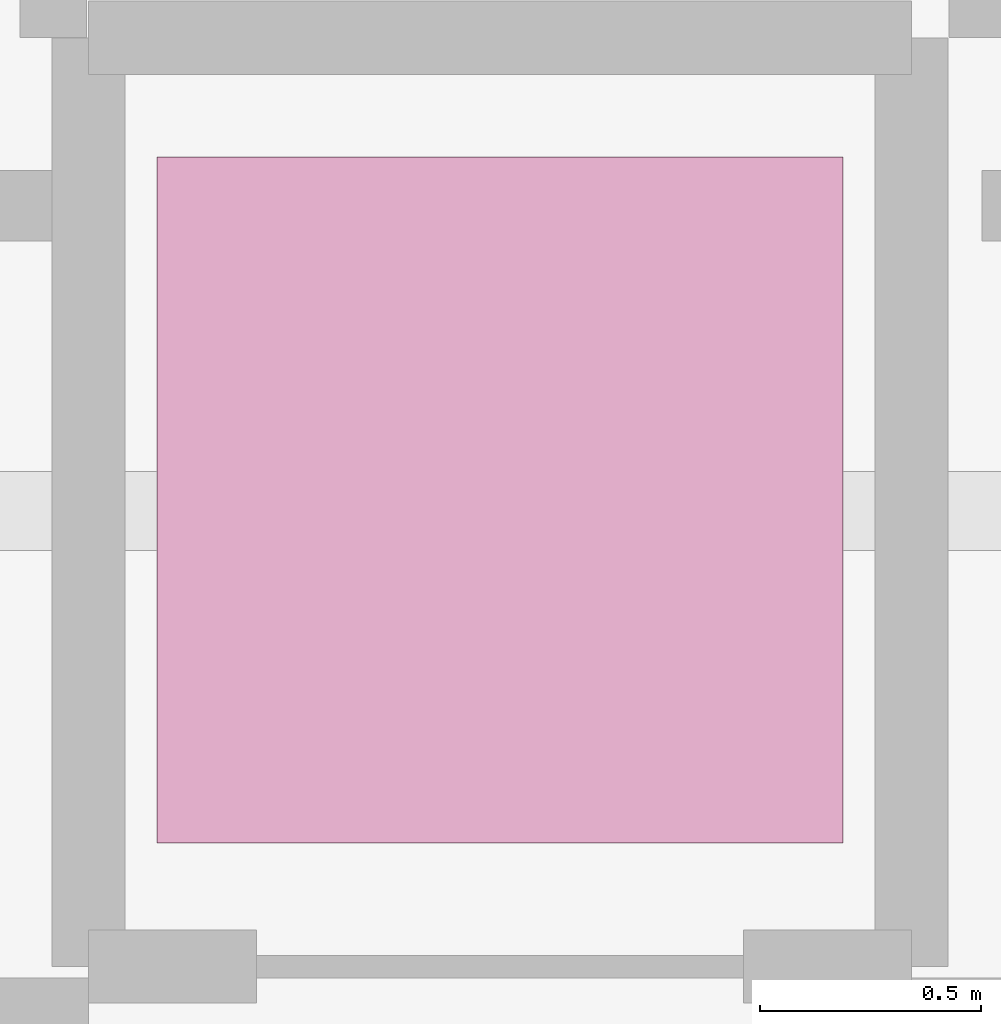
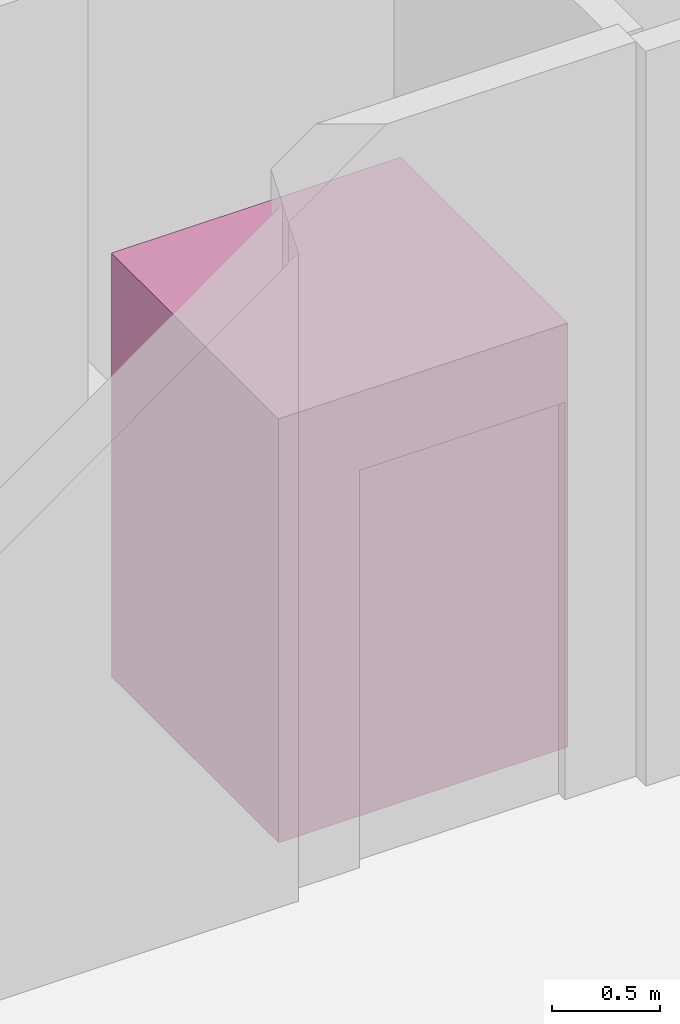
# One storey, part 24 of 24: 1 transport element.
"""IFC4 building model written with IfcOpenShell, lengths in metres."""

from ifc_helpers import new_model, si_unit, direction, frame, origin, origin_2d, place, context, subcontext, project, spatial, rectangle, extrude, material, type_object, element, save


model = new_model("IFC4")

# Units and contexts
model_context = context("Model", 3, precision=1e-05, world=origin(), true_north=direction((0.0, 1.0)))
body_context = subcontext(model_context, "Body", "Model", "MODEL_VIEW")
ifc_project = project(units=[si_unit("LENGTHUNIT", "METRE"), si_unit("AREAUNIT", "SQUARE_METRE"), si_unit("VOLUMEUNIT", "CUBIC_METRE"), si_unit("PLANEANGLEUNIT", "RADIAN"), si_unit("MASSUNIT", "GRAM", prefix="KILO")], contexts=[model_context])

# Site, building, storey
site_placement = place(None, origin())
site = spatial("IfcSite", under=ifc_project, at=site_placement, CompositionType="ELEMENT")
building_placement = place(site_placement, origin())
building = spatial("IfcBuilding", under=site, at=building_placement, Name="Zuhayl Quay Hotel", CompositionType="ELEMENT")
storey_placement = place(building_placement, frame((0.0, 0.0, 292.85009765625)))
storey = spatial("IfcBuildingStorey", under=building, at=storey_placement, Name="L74", CompositionType="ELEMENT", Elevation=292.85009765625)

# Transport element
ifc_material = material(Name="Steel ASTM A992 Grade 50", Category="steel")
transport_element_type = type_object("IfcTransportElementType", Name="LF_PASS_1600", PredefinedType="ELEVATOR", material=ifc_material)
transport_element_placement = place(storey_placement, frame((-3.2099609375, 30.375, 0.0), z_axis=(0.0, 0.0, 1.0), x_axis=(1.0, 0.0, 0.0)))
element("IfcTransportElement", 1, at=transport_element_placement, inside=storey, type_object=transport_element_type, Name="Passenger Elevator Car CLF1", PredefinedType="ELEVATOR", context=body_context, shape_type="SweptSolid", body=[
    extrude(rectangle(XDim=1.550048828125, YDim=1.550048828125, at=origin_2d()), origin(), (0.0, 0.0, 1.0), 2.39990234375),
])

save(model, "model.ifc")
